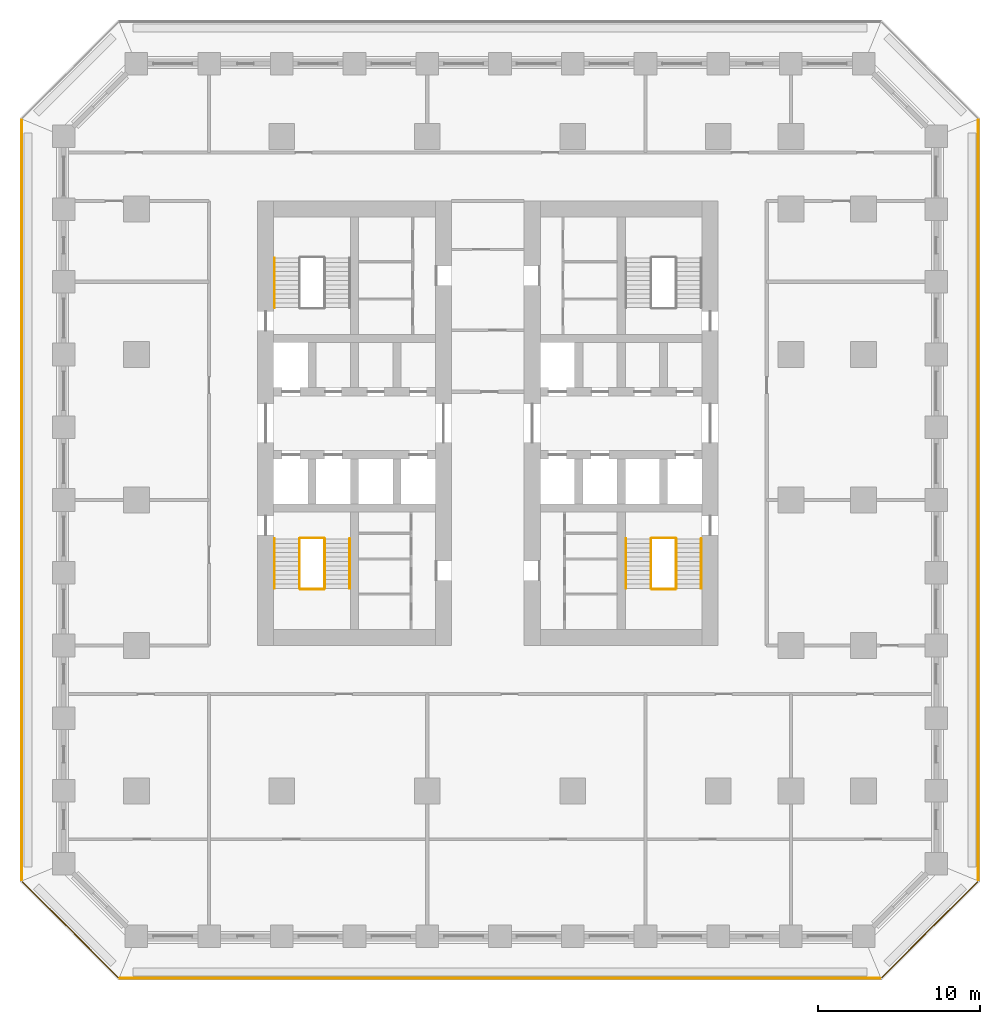
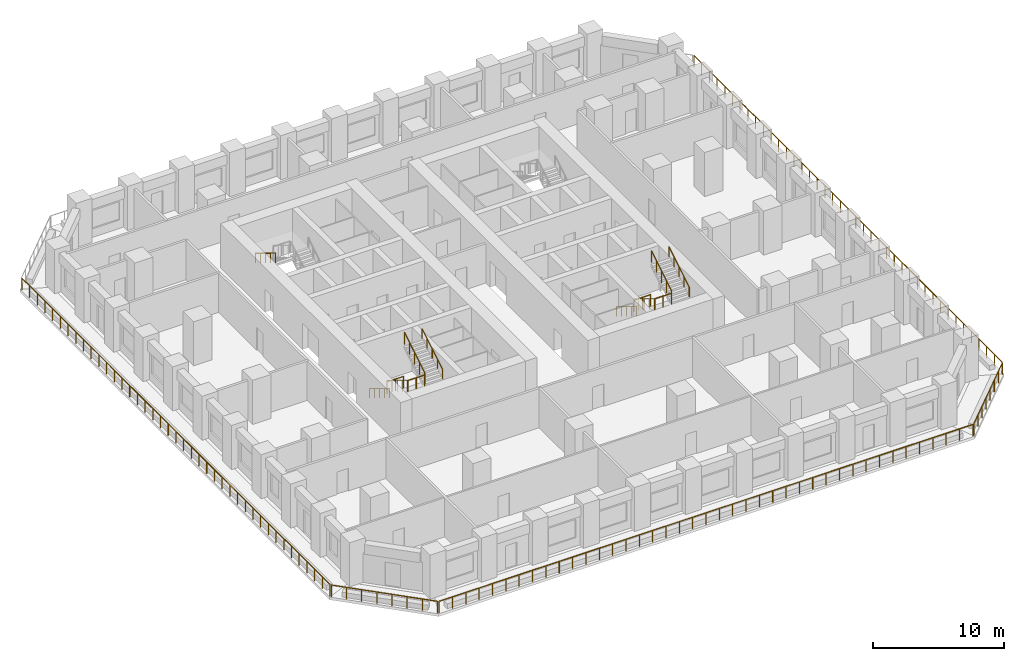
# One storey, part 9 of 11: 18 railings.
"""IFC4 building model written with IfcOpenShell, lengths in metres."""

from ifc_helpers import new_model, si_unit, direction, frame, origin, origin_2d, place, context, subcontext, project, spatial, circle, extrude, material, type_object, element, save


model = new_model("IFC4")

# Units and contexts
model_context = context("Model", 3, precision=1e-05, world=origin(), true_north=direction((0.0, 1.0)))
body_context = subcontext(model_context, "Body", "Model", "MODEL_VIEW")
ifc_project = project(units=[si_unit("LENGTHUNIT", "METRE"), si_unit("AREAUNIT", "SQUARE_METRE"), si_unit("VOLUMEUNIT", "CUBIC_METRE"), si_unit("PLANEANGLEUNIT", "RADIAN"), si_unit("MASSUNIT", "GRAM", prefix="KILO")], contexts=[model_context])

# Site, building, storey
site_placement = place(None, origin())
site = spatial("IfcSite", under=ifc_project, at=site_placement, CompositionType="ELEMENT")
building_placement = place(site_placement, origin())
building = spatial("IfcBuilding", under=site, at=building_placement, Name="Corbel Stack Research Tower", CompositionType="ELEMENT")
storey_placement = place(building_placement, frame((0.0, 0.0, 54.199951171875)))
storey = spatial("IfcBuildingStorey", under=building, at=storey_placement, Name="L12", CompositionType="ELEMENT", Elevation=54.199951171875)

# Railings
ifc_material_1 = material(Name="Steel S355", Category="steel")
railing_type_1 = type_object("IfcRailingType", Name="Stair guard 1100", PredefinedType="GUARDRAIL", material=ifc_material_1)
railing_1_placement = place(storey_placement, frame((-7.89990234375, -2.39990234375, 0.1708984375)))
element("IfcRailing", 1, at=railing_1_placement, inside=storey, type_object=railing_type_1, Name="L12 ST-W1 stair guard 1", PredefinedType="GUARDRAIL", context=body_context, shape_type="SweptSolid", body=[
    extrude(circle(Radius=0.02392578125, at=origin_2d()), frame((0.0, 0.0, 1.076171875), z_axis=(0.0, -0.853666305674, 0.52082035152), x_axis=(1.0, 0.0, 0.0)), (0.0, 0.0, 1.0), 3.608154296875),
    extrude(circle(Radius=0.02099609375, at=origin_2d()), origin(), (0.0, 0.0, 1.0), 1.052001953125),
    extrude(circle(Radius=0.02099609375, at=origin_2d()), frame((0.0, -0.77001953125, 0.4697265625)), (0.0, 0.0, 1.0), 1.052001953125),
    extrude(circle(Radius=0.02099609375, at=origin_2d()), frame((0.0, -1.5400390625, 0.939453125)), (0.0, 0.0, 1.0), 1.052001953125),
    extrude(circle(Radius=0.02099609375, at=origin_2d()), frame((0.0, -2.31005859375, 1.409423828125)), (0.0, 0.0, 1.0), 1.052001953125),
    extrude(circle(Radius=0.02099609375, at=origin_2d()), frame((0.0, -3.080078125, 1.879150390625)), (0.0, 0.0, 1.0), 1.052001953125),
])
railing_2_placement = place(storey_placement, frame((-7.85009765625, -5.530029296875, 2.050048828125)))
element("IfcRailing", 2, at=railing_2_placement, inside=storey, type_object=railing_type_1, Name="L12 ST-W1 stair guard 2", PredefinedType="GUARDRAIL", context=body_context, shape_type="SweptSolid", body=[
    extrude(circle(Radius=0.02392578125, at=origin_2d()), frame((0.0, 0.0, 1.076171875), z_axis=(1.0, 0.0, 0.0), x_axis=(0.0, 1.0, 0.0)), (0.0, 0.0, 1.0), 1.4501953125),
    extrude(circle(Radius=0.02099609375, at=origin_2d()), origin(), (0.0, 0.0, 1.0), 1.052001953125),
    extrude(circle(Radius=0.02099609375, at=origin_2d()), frame((0.72509765625, 0.0, 0.0)), (0.0, 0.0, 1.0), 1.052001953125),
    extrude(circle(Radius=0.02099609375, at=origin_2d()), frame((1.4501953125, 0.0, 0.0)), (0.0, 0.0, 1.0), 1.052001953125),
])
railing_3_placement = place(storey_placement, frame((-6.35009765625, -5.47998046875, 2.220947265625)))
element("IfcRailing", 3, at=railing_3_placement, inside=storey, type_object=railing_type_1, Name="L12 ST-W1 stair guard 3", PredefinedType="GUARDRAIL", context=body_context, shape_type="SweptSolid", body=[
    extrude(circle(Radius=0.02392578125, at=origin_2d()), frame((0.0, 0.0, 1.076171875), z_axis=(0.0, 0.853666305674, 0.52082035152), x_axis=(-1.0, 0.0, 0.0)), (0.0, 0.0, 1.0), 3.608154296875),
    extrude(circle(Radius=0.02099609375, at=origin_2d()), origin(), (0.0, 0.0, 1.0), 1.052001953125),
    extrude(circle(Radius=0.02099609375, at=origin_2d()), frame((0.0, 0.77001953125, 0.4697265625)), (0.0, 0.0, 1.0), 1.052001953125),
    extrude(circle(Radius=0.02099609375, at=origin_2d()), frame((0.0, 1.5400390625, 0.939453125)), (0.0, 0.0, 1.0), 1.052001953125),
    extrude(circle(Radius=0.02099609375, at=origin_2d()), frame((0.0, 2.31005859375, 1.409423828125)), (0.0, 0.0, 1.0), 1.052001953125),
    extrude(circle(Radius=0.02099609375, at=origin_2d()), frame((0.0, 3.080078125, 1.879150390625)), (0.0, 0.0, 1.0), 1.052001953125),
])
railing_4_placement = place(storey_placement, frame((-7.85009765625, -2.35009765625, 0.0)))
element("IfcRailing", 4, at=railing_4_placement, inside=storey, type_object=railing_type_1, Name="L12 ST-W1 stair guard 4", PredefinedType="GUARDRAIL", context=body_context, shape_type="SweptSolid", body=[
    extrude(circle(Radius=0.02392578125, at=origin_2d()), frame((0.0, 0.0, 1.076171875), z_axis=(1.0, 0.0, 0.0), x_axis=(0.0, 1.0, 0.0)), (0.0, 0.0, 1.0), 1.4501953125),
    extrude(circle(Radius=0.02099609375, at=origin_2d()), origin(), (0.0, 0.0, 1.0), 1.052001953125),
    extrude(circle(Radius=0.02099609375, at=origin_2d()), frame((0.72509765625, 0.0, 0.0)), (0.0, 0.0, 1.0), 1.052001953125),
    extrude(circle(Radius=0.02099609375, at=origin_2d()), frame((1.4501953125, 0.0, 0.0)), (0.0, 0.0, 1.0), 1.052001953125),
])
railing_5_placement = place(storey_placement, frame((13.85009765625, -2.39990234375, 0.1708984375)))
element("IfcRailing", 5, at=railing_5_placement, inside=storey, type_object=railing_type_1, Name="L12 ST-E1 stair guard 1", PredefinedType="GUARDRAIL", context=body_context, shape_type="SweptSolid", body=[
    extrude(circle(Radius=0.02392578125, at=origin_2d()), frame((0.0, 0.0, 1.076171875), z_axis=(0.0, -0.853666305674, 0.52082035152), x_axis=(1.0, 0.0, 0.0)), (0.0, 0.0, 1.0), 3.608154296875),
    extrude(circle(Radius=0.02099609375, at=origin_2d()), origin(), (0.0, 0.0, 1.0), 1.052001953125),
    extrude(circle(Radius=0.02099609375, at=origin_2d()), frame((0.0, -0.77001953125, 0.4697265625)), (0.0, 0.0, 1.0), 1.052001953125),
    extrude(circle(Radius=0.02099609375, at=origin_2d()), frame((0.0, -1.5400390625, 0.939453125)), (0.0, 0.0, 1.0), 1.052001953125),
    extrude(circle(Radius=0.02099609375, at=origin_2d()), frame((0.0, -2.31005859375, 1.409423828125)), (0.0, 0.0, 1.0), 1.052001953125),
    extrude(circle(Radius=0.02099609375, at=origin_2d()), frame((0.0, -3.080078125, 1.879150390625)), (0.0, 0.0, 1.0), 1.052001953125),
])
railing_6_placement = place(storey_placement, frame((13.89990234375, -5.530029296875, 2.050048828125)))
element("IfcRailing", 6, at=railing_6_placement, inside=storey, type_object=railing_type_1, Name="L12 ST-E1 stair guard 2", PredefinedType="GUARDRAIL", context=body_context, shape_type="SweptSolid", body=[
    extrude(circle(Radius=0.02392578125, at=origin_2d()), frame((0.0, 0.0, 1.076171875), z_axis=(1.0, 0.0, 0.0), x_axis=(0.0, 1.0, 0.0)), (0.0, 0.0, 1.0), 1.4501953125),
    extrude(circle(Radius=0.02099609375, at=origin_2d()), origin(), (0.0, 0.0, 1.0), 1.052001953125),
    extrude(circle(Radius=0.02099609375, at=origin_2d()), frame((0.72509765625, 0.0, 0.0)), (0.0, 0.0, 1.0), 1.052001953125),
    extrude(circle(Radius=0.02099609375, at=origin_2d()), frame((1.4501953125, 0.0, 0.0)), (0.0, 0.0, 1.0), 1.052001953125),
])
railing_7_placement = place(storey_placement, frame((15.39990234375, -5.47998046875, 2.220947265625)))
element("IfcRailing", 7, at=railing_7_placement, inside=storey, type_object=railing_type_1, Name="L12 ST-E1 stair guard 3", PredefinedType="GUARDRAIL", context=body_context, shape_type="SweptSolid", body=[
    extrude(circle(Radius=0.02392578125, at=origin_2d()), frame((0.0, 0.0, 1.076171875), z_axis=(0.0, 0.853666305674, 0.52082035152), x_axis=(-1.0, 0.0, 0.0)), (0.0, 0.0, 1.0), 3.608154296875),
    extrude(circle(Radius=0.02099609375, at=origin_2d()), origin(), (0.0, 0.0, 1.0), 1.052001953125),
    extrude(circle(Radius=0.02099609375, at=origin_2d()), frame((0.0, 0.77001953125, 0.4697265625)), (0.0, 0.0, 1.0), 1.052001953125),
    extrude(circle(Radius=0.02099609375, at=origin_2d()), frame((0.0, 1.5400390625, 0.939453125)), (0.0, 0.0, 1.0), 1.052001953125),
    extrude(circle(Radius=0.02099609375, at=origin_2d()), frame((0.0, 2.31005859375, 1.409423828125)), (0.0, 0.0, 1.0), 1.052001953125),
    extrude(circle(Radius=0.02099609375, at=origin_2d()), frame((0.0, 3.080078125, 1.879150390625)), (0.0, 0.0, 1.0), 1.052001953125),
])
railing_8_placement = place(storey_placement, frame((13.89990234375, -2.35009765625, 0.0)))
element("IfcRailing", 8, at=railing_8_placement, inside=storey, type_object=railing_type_1, Name="L12 ST-E1 stair guard 4", PredefinedType="GUARDRAIL", context=body_context, shape_type="SweptSolid", body=[
    extrude(circle(Radius=0.02392578125, at=origin_2d()), frame((0.0, 0.0, 1.076171875), z_axis=(1.0, 0.0, 0.0), x_axis=(0.0, 1.0, 0.0)), (0.0, 0.0, 1.0), 1.4501953125),
    extrude(circle(Radius=0.02099609375, at=origin_2d()), origin(), (0.0, 0.0, 1.0), 1.052001953125),
    extrude(circle(Radius=0.02099609375, at=origin_2d()), frame((0.72509765625, 0.0, 0.0)), (0.0, 0.0, 1.0), 1.052001953125),
    extrude(circle(Radius=0.02099609375, at=origin_2d()), frame((1.4501953125, 0.0, 0.0)), (0.0, 0.0, 1.0), 1.052001953125),
])
ifc_material_2 = material(Name="Steel S355", Category="steel")
railing_type_2 = type_object("IfcRailingType", Name="Stair handrail 900", PredefinedType="HANDRAIL", material=ifc_material_2)
railing_9_placement = place(storey_placement, frame((-9.449951171875, -2.39990234375, 0.1708984375)))
element("IfcRailing", 9, at=railing_9_placement, inside=storey, type_object=railing_type_2, Name="L12 ST-W1 stair handrail 1", PredefinedType="HANDRAIL", context=body_context, shape_type="SweptSolid", body=[
    extrude(circle(Radius=0.02392578125, at=origin_2d()), frame((0.0, 0.0, 0.8759765625), z_axis=(0.0, -0.853666305674, 0.52082035152), x_axis=(1.0, 0.0, 0.0)), (0.0, 0.0, 1.0), 3.608154296875),
    extrude(circle(Radius=0.02099609375, at=origin_2d()), origin(), (0.0, 0.0, 1.0), 0.851806640625),
    extrude(circle(Radius=0.02099609375, at=origin_2d()), frame((0.0, -0.77001953125, 0.4697265625)), (0.0, 0.0, 1.0), 0.851806640625),
    extrude(circle(Radius=0.02099609375, at=origin_2d()), frame((0.0, -1.5400390625, 0.939453125)), (0.0, 0.0, 1.0), 0.851806640625),
    extrude(circle(Radius=0.02099609375, at=origin_2d()), frame((0.0, -2.31005859375, 1.409423828125)), (0.0, 0.0, 1.0), 0.851806640625),
    extrude(circle(Radius=0.02099609375, at=origin_2d()), frame((0.0, -3.080078125, 1.879150390625)), (0.0, 0.0, 1.0), 0.851806640625),
])
railing_10_placement = place(storey_placement, frame((-4.800048828125, -5.47998046875, 2.220947265625)))
element("IfcRailing", 10, at=railing_10_placement, inside=storey, type_object=railing_type_2, Name="L12 ST-W1 stair handrail 2", PredefinedType="HANDRAIL", context=body_context, shape_type="SweptSolid", body=[
    extrude(circle(Radius=0.02392578125, at=origin_2d()), frame((0.0, 0.0, 0.8759765625), z_axis=(0.0, 0.853666305674, 0.52082035152), x_axis=(-1.0, 0.0, 0.0)), (0.0, 0.0, 1.0), 3.608154296875),
    extrude(circle(Radius=0.02099609375, at=origin_2d()), origin(), (0.0, 0.0, 1.0), 0.851806640625),
    extrude(circle(Radius=0.02099609375, at=origin_2d()), frame((0.0, 0.77001953125, 0.4697265625)), (0.0, 0.0, 1.0), 0.851806640625),
    extrude(circle(Radius=0.02099609375, at=origin_2d()), frame((0.0, 1.5400390625, 0.939453125)), (0.0, 0.0, 1.0), 0.851806640625),
    extrude(circle(Radius=0.02099609375, at=origin_2d()), frame((0.0, 2.31005859375, 1.409423828125)), (0.0, 0.0, 1.0), 0.851806640625),
    extrude(circle(Radius=0.02099609375, at=origin_2d()), frame((0.0, 3.080078125, 1.879150390625)), (0.0, 0.0, 1.0), 0.851806640625),
])
for number, where, name in (
    (11, (-9.449951171875, 14.97998046875, 2.220947265625), "L12 ST-W2 stair handrail 2"),
    (12, (12.300048828125, -2.39990234375, 0.1708984375), "L12 ST-E1 stair handrail 1"),
):
    element("IfcRailing", number, at=place(storey_placement, frame(where)), inside=storey, type_object=railing_type_2, Name=name, PredefinedType="HANDRAIL", context=body_context, shape_type="SweptSolid", body=[
        extrude(circle(Radius=0.02392578125, at=origin_2d()), frame((0.0, 0.0, 0.8759765625), z_axis=(0.0, -0.853666305674, 0.52082035152), x_axis=(1.0, 0.0, 0.0)), (0.0, 0.0, 1.0), 3.608154296875),
        extrude(circle(Radius=0.02099609375, at=origin_2d()), origin(), (0.0, 0.0, 1.0), 0.851806640625),
        extrude(circle(Radius=0.02099609375, at=origin_2d()), frame((0.0, -0.77001953125, 0.4697265625)), (0.0, 0.0, 1.0), 0.851806640625),
        extrude(circle(Radius=0.02099609375, at=origin_2d()), frame((0.0, -1.5400390625, 0.939453125)), (0.0, 0.0, 1.0), 0.851806640625),
        extrude(circle(Radius=0.02099609375, at=origin_2d()), frame((0.0, -2.31005859375, 1.409423828125)), (0.0, 0.0, 1.0), 0.851806640625),
        extrude(circle(Radius=0.02099609375, at=origin_2d()), frame((0.0, -3.080078125, 1.879150390625)), (0.0, 0.0, 1.0), 0.851806640625),
    ])
railing_11_placement = place(storey_placement, frame((16.949951171875, -5.47998046875, 2.220947265625)))
element("IfcRailing", 13, at=railing_11_placement, inside=storey, type_object=railing_type_2, Name="L12 ST-E1 stair handrail 2", PredefinedType="HANDRAIL", context=body_context, shape_type="SweptSolid", body=[
    extrude(circle(Radius=0.02392578125, at=origin_2d()), frame((0.0, 0.0, 0.8759765625), z_axis=(0.0, 0.853666305674, 0.52082035152), x_axis=(-1.0, 0.0, 0.0)), (0.0, 0.0, 1.0), 3.608154296875),
    extrude(circle(Radius=0.02099609375, at=origin_2d()), origin(), (0.0, 0.0, 1.0), 0.851806640625),
    extrude(circle(Radius=0.02099609375, at=origin_2d()), frame((0.0, 0.77001953125, 0.4697265625)), (0.0, 0.0, 1.0), 0.851806640625),
    extrude(circle(Radius=0.02099609375, at=origin_2d()), frame((0.0, 1.5400390625, 0.939453125)), (0.0, 0.0, 1.0), 0.851806640625),
    extrude(circle(Radius=0.02099609375, at=origin_2d()), frame((0.0, 2.31005859375, 1.409423828125)), (0.0, 0.0, 1.0), 0.851806640625),
    extrude(circle(Radius=0.02099609375, at=origin_2d()), frame((0.0, 3.080078125, 1.879150390625)), (0.0, 0.0, 1.0), 0.851806640625),
])
ifc_material_3 = material(Name="Powder-coated steel guard", Category="steel")
railing_type_3 = type_object("IfcRailingType", Name="Steel and glass guard 1100", PredefinedType="GUARDRAIL", material=ifc_material_3)
railing_12_placement = place(storey_placement, frame((-19.00537109375, -29.60009765625, 0.0)))
element("IfcRailing", 14, at=railing_12_placement, inside=storey, type_object=railing_type_3, Name="Loggia guard L12 S", PredefinedType="GUARDRAIL", context=body_context, shape_type="SweptSolid", body=[
    extrude(circle(Radius=0.02392578125, at=origin_2d()), frame((0.0, 0.0, 1.076171875), z_axis=(1.0, 0.0, 0.0), x_axis=(0.0, 1.0, 0.0)), (0.0, 0.0, 1.0), 47.0107421875),
    extrude(circle(Radius=0.02099609375, at=origin_2d()), origin(), (0.0, 0.0, 1.0), 1.052001953125),
    extrude(circle(Radius=0.02099609375, at=origin_2d()), frame((1.17529296875, 0.0, 0.0)), (0.0, 0.0, 1.0), 1.052001953125),
    extrude(circle(Radius=0.02099609375, at=origin_2d()), frame((2.3505859375, 0.0, 0.0)), (0.0, 0.0, 1.0), 1.052001953125),
    extrude(circle(Radius=0.02099609375, at=origin_2d()), frame((3.52587890625, 0.0, 0.0)), (0.0, 0.0, 1.0), 1.052001953125),
    extrude(circle(Radius=0.02099609375, at=origin_2d()), frame((4.701171875, 0.0, 0.0)), (0.0, 0.0, 1.0), 1.052001953125),
    extrude(circle(Radius=0.02099609375, at=origin_2d()), frame((5.87646484375, 0.0, 0.0)), (0.0, 0.0, 1.0), 1.052001953125),
    extrude(circle(Radius=0.02099609375, at=origin_2d()), frame((7.051513671875, 0.0, 0.0)), (0.0, 0.0, 1.0), 1.052001953125),
    extrude(circle(Radius=0.02099609375, at=origin_2d()), frame((8.226806640625, 0.0, 0.0)), (0.0, 0.0, 1.0), 1.052001953125),
    extrude(circle(Radius=0.02099609375, at=origin_2d()), frame((9.402099609375, 0.0, 0.0)), (0.0, 0.0, 1.0), 1.052001953125),
    extrude(circle(Radius=0.02099609375, at=origin_2d()), frame((10.577392578125, 0.0, 0.0)), (0.0, 0.0, 1.0), 1.052001953125),
    extrude(circle(Radius=0.02099609375, at=origin_2d()), frame((11.752685546875, 0.0, 0.0)), (0.0, 0.0, 1.0), 1.052001953125),
    extrude(circle(Radius=0.02099609375, at=origin_2d()), frame((12.927978515625, 0.0, 0.0)), (0.0, 0.0, 1.0), 1.052001953125),
    extrude(circle(Radius=0.02099609375, at=origin_2d()), frame((14.103271484375, 0.0, 0.0)), (0.0, 0.0, 1.0), 1.052001953125),
    extrude(circle(Radius=0.02099609375, at=origin_2d()), frame((15.278564453125, 0.0, 0.0)), (0.0, 0.0, 1.0), 1.052001953125),
    extrude(circle(Radius=0.02099609375, at=origin_2d()), frame((16.453857421875, 0.0, 0.0)), (0.0, 0.0, 1.0), 1.052001953125),
    extrude(circle(Radius=0.02099609375, at=origin_2d()), frame((17.62890625, 0.0, 0.0)), (0.0, 0.0, 1.0), 1.052001953125),
    extrude(circle(Radius=0.02099609375, at=origin_2d()), frame((18.80419921875, 0.0, 0.0)), (0.0, 0.0, 1.0), 1.052001953125),
    extrude(circle(Radius=0.02099609375, at=origin_2d()), frame((19.9794921875, 0.0, 0.0)), (0.0, 0.0, 1.0), 1.052001953125),
    extrude(circle(Radius=0.02099609375, at=origin_2d()), frame((21.15478515625, 0.0, 0.0)), (0.0, 0.0, 1.0), 1.052001953125),
    extrude(circle(Radius=0.02099609375, at=origin_2d()), frame((22.330078125, 0.0, 0.0)), (0.0, 0.0, 1.0), 1.052001953125),
    extrude(circle(Radius=0.02099609375, at=origin_2d()), frame((23.50537109375, 0.0, 0.0)), (0.0, 0.0, 1.0), 1.052001953125),
    extrude(circle(Radius=0.02099609375, at=origin_2d()), frame((24.6806640625, 0.0, 0.0)), (0.0, 0.0, 1.0), 1.052001953125),
    extrude(circle(Radius=0.02099609375, at=origin_2d()), frame((25.85595703125, 0.0, 0.0)), (0.0, 0.0, 1.0), 1.052001953125),
    extrude(circle(Radius=0.02099609375, at=origin_2d()), frame((27.03125, 0.0, 0.0)), (0.0, 0.0, 1.0), 1.052001953125),
    extrude(circle(Radius=0.02099609375, at=origin_2d()), frame((28.20654296875, 0.0, 0.0)), (0.0, 0.0, 1.0), 1.052001953125),
    extrude(circle(Radius=0.02099609375, at=origin_2d()), frame((29.3818359375, 0.0, 0.0)), (0.0, 0.0, 1.0), 1.052001953125),
    extrude(circle(Radius=0.02099609375, at=origin_2d()), frame((30.556884765625, 0.0, 0.0)), (0.0, 0.0, 1.0), 1.052001953125),
    extrude(circle(Radius=0.02099609375, at=origin_2d()), frame((31.732177734375, 0.0, 0.0)), (0.0, 0.0, 1.0), 1.052001953125),
    extrude(circle(Radius=0.02099609375, at=origin_2d()), frame((32.907470703125, 0.0, 0.0)), (0.0, 0.0, 1.0), 1.052001953125),
    extrude(circle(Radius=0.02099609375, at=origin_2d()), frame((34.082763671875, 0.0, 0.0)), (0.0, 0.0, 1.0), 1.052001953125),
    extrude(circle(Radius=0.02099609375, at=origin_2d()), frame((35.258056640625, 0.0, 0.0)), (0.0, 0.0, 1.0), 1.052001953125),
    extrude(circle(Radius=0.02099609375, at=origin_2d()), frame((36.433349609375, 0.0, 0.0)), (0.0, 0.0, 1.0), 1.052001953125),
    extrude(circle(Radius=0.02099609375, at=origin_2d()), frame((37.608642578125, 0.0, 0.0)), (0.0, 0.0, 1.0), 1.052001953125),
    extrude(circle(Radius=0.02099609375, at=origin_2d()), frame((38.783935546875, 0.0, 0.0)), (0.0, 0.0, 1.0), 1.052001953125),
    extrude(circle(Radius=0.02099609375, at=origin_2d()), frame((39.959228515625, 0.0, 0.0)), (0.0, 0.0, 1.0), 1.052001953125),
    extrude(circle(Radius=0.02099609375, at=origin_2d()), frame((41.13427734375, 0.0, 0.0)), (0.0, 0.0, 1.0), 1.052001953125),
    extrude(circle(Radius=0.02099609375, at=origin_2d()), frame((42.3095703125, 0.0, 0.0)), (0.0, 0.0, 1.0), 1.052001953125),
    extrude(circle(Radius=0.02099609375, at=origin_2d()), frame((43.48486328125, 0.0, 0.0)), (0.0, 0.0, 1.0), 1.052001953125),
    extrude(circle(Radius=0.02099609375, at=origin_2d()), frame((44.66015625, 0.0, 0.0)), (0.0, 0.0, 1.0), 1.052001953125),
    extrude(circle(Radius=0.02099609375, at=origin_2d()), frame((45.83544921875, 0.0, 0.0)), (0.0, 0.0, 1.0), 1.052001953125),
    extrude(circle(Radius=0.02099609375, at=origin_2d()), frame((47.0107421875, 0.0, 0.0)), (0.0, 0.0, 1.0), 1.052001953125),
])
railing_13_placement = place(storey_placement, frame((28.127685546875, -29.54931640625, 0.0)))
element("IfcRailing", 15, at=railing_13_placement, inside=storey, type_object=railing_type_3, Name="Loggia guard L12 SE", PredefinedType="GUARDRAIL", context=body_context, shape_type="SweptSolid", body=[
    extrude(circle(Radius=0.02392578125, at=origin_2d()), frame((0.0, 0.0, 1.076171875), z_axis=(0.707106781187, 0.707106781187, 0.0), x_axis=(-0.707106781187, 0.707106781187, 0.0)), (0.0, 0.0, 1.0), 8.37451171875),
    extrude(circle(Radius=0.02099609375, at=origin_2d()), origin(), (0.0, 0.0, 1.0), 1.052001953125),
    extrude(circle(Radius=0.02099609375, at=origin_2d()), frame((0.845947265625, 0.845947265625, 0.0)), (0.0, 0.0, 1.0), 1.052001953125),
    extrude(circle(Radius=0.02099609375, at=origin_2d()), frame((1.69189453125, 1.69189453125, 0.0)), (0.0, 0.0, 1.0), 1.052001953125),
    extrude(circle(Radius=0.02099609375, at=origin_2d()), frame((2.537841796875, 2.537841796875, 0.0)), (0.0, 0.0, 1.0), 1.052001953125),
    extrude(circle(Radius=0.02099609375, at=origin_2d()), frame((3.3837890625, 3.3837890625, 0.0)), (0.0, 0.0, 1.0), 1.052001953125),
    extrude(circle(Radius=0.02099609375, at=origin_2d()), frame((4.229736328125, 4.229736328125, 0.0)), (0.0, 0.0, 1.0), 1.052001953125),
    extrude(circle(Radius=0.02099609375, at=origin_2d()), frame((5.07568359375, 5.07568359375, 0.0)), (0.0, 0.0, 1.0), 1.052001953125),
    extrude(circle(Radius=0.02099609375, at=origin_2d()), frame((5.921630859375, 5.921630859375, 0.0)), (0.0, 0.0, 1.0), 1.052001953125),
])
railing_14_placement = place(storey_placement, frame((34.10009765625, -23.50537109375, 0.0)))
element("IfcRailing", 16, at=railing_14_placement, inside=storey, type_object=railing_type_3, Name="Loggia guard L12 E", PredefinedType="GUARDRAIL", context=body_context, shape_type="SweptSolid", body=[
    extrude(circle(Radius=0.02392578125, at=origin_2d()), frame((0.0, 0.0, 1.076171875), z_axis=(0.0, 1.0, 0.0), x_axis=(-1.0, 0.0, 0.0)), (0.0, 0.0, 1.0), 47.0107421875),
    extrude(circle(Radius=0.02099609375, at=origin_2d()), origin(), (0.0, 0.0, 1.0), 1.052001953125),
    extrude(circle(Radius=0.02099609375, at=origin_2d()), frame((0.0, 1.17529296875, 0.0)), (0.0, 0.0, 1.0), 1.052001953125),
    extrude(circle(Radius=0.02099609375, at=origin_2d()), frame((0.0, 2.3505859375, 0.0)), (0.0, 0.0, 1.0), 1.052001953125),
    extrude(circle(Radius=0.02099609375, at=origin_2d()), frame((0.0, 3.52587890625, 0.0)), (0.0, 0.0, 1.0), 1.052001953125),
    extrude(circle(Radius=0.02099609375, at=origin_2d()), frame((0.0, 4.701171875, 0.0)), (0.0, 0.0, 1.0), 1.052001953125),
    extrude(circle(Radius=0.02099609375, at=origin_2d()), frame((0.0, 5.87646484375, 0.0)), (0.0, 0.0, 1.0), 1.052001953125),
    extrude(circle(Radius=0.02099609375, at=origin_2d()), frame((0.0, 7.051513671875, 0.0)), (0.0, 0.0, 1.0), 1.052001953125),
    extrude(circle(Radius=0.02099609375, at=origin_2d()), frame((0.0, 8.226806640625, 0.0)), (0.0, 0.0, 1.0), 1.052001953125),
    extrude(circle(Radius=0.02099609375, at=origin_2d()), frame((0.0, 9.402099609375, 0.0)), (0.0, 0.0, 1.0), 1.052001953125),
    extrude(circle(Radius=0.02099609375, at=origin_2d()), frame((0.0, 10.577392578125, 0.0)), (0.0, 0.0, 1.0), 1.052001953125),
    extrude(circle(Radius=0.02099609375, at=origin_2d()), frame((0.0, 11.752685546875, 0.0)), (0.0, 0.0, 1.0), 1.052001953125),
    extrude(circle(Radius=0.02099609375, at=origin_2d()), frame((0.0, 12.927978515625, 0.0)), (0.0, 0.0, 1.0), 1.052001953125),
    extrude(circle(Radius=0.02099609375, at=origin_2d()), frame((0.0, 14.103271484375, 0.0)), (0.0, 0.0, 1.0), 1.052001953125),
    extrude(circle(Radius=0.02099609375, at=origin_2d()), frame((0.0, 15.278564453125, 0.0)), (0.0, 0.0, 1.0), 1.052001953125),
    extrude(circle(Radius=0.02099609375, at=origin_2d()), frame((0.0, 16.453857421875, 0.0)), (0.0, 0.0, 1.0), 1.052001953125),
    extrude(circle(Radius=0.02099609375, at=origin_2d()), frame((0.0, 17.62890625, 0.0)), (0.0, 0.0, 1.0), 1.052001953125),
    extrude(circle(Radius=0.02099609375, at=origin_2d()), frame((0.0, 18.80419921875, 0.0)), (0.0, 0.0, 1.0), 1.052001953125),
    extrude(circle(Radius=0.02099609375, at=origin_2d()), frame((0.0, 19.9794921875, 0.0)), (0.0, 0.0, 1.0), 1.052001953125),
    extrude(circle(Radius=0.02099609375, at=origin_2d()), frame((0.0, 21.15478515625, 0.0)), (0.0, 0.0, 1.0), 1.052001953125),
    extrude(circle(Radius=0.02099609375, at=origin_2d()), frame((0.0, 22.330078125, 0.0)), (0.0, 0.0, 1.0), 1.052001953125),
    extrude(circle(Radius=0.02099609375, at=origin_2d()), frame((0.0, 23.50537109375, 0.0)), (0.0, 0.0, 1.0), 1.052001953125),
    extrude(circle(Radius=0.02099609375, at=origin_2d()), frame((0.0, 24.6806640625, 0.0)), (0.0, 0.0, 1.0), 1.052001953125),
    extrude(circle(Radius=0.02099609375, at=origin_2d()), frame((0.0, 25.85595703125, 0.0)), (0.0, 0.0, 1.0), 1.052001953125),
    extrude(circle(Radius=0.02099609375, at=origin_2d()), frame((0.0, 27.03125, 0.0)), (0.0, 0.0, 1.0), 1.052001953125),
    extrude(circle(Radius=0.02099609375, at=origin_2d()), frame((0.0, 28.20654296875, 0.0)), (0.0, 0.0, 1.0), 1.052001953125),
    extrude(circle(Radius=0.02099609375, at=origin_2d()), frame((0.0, 29.3818359375, 0.0)), (0.0, 0.0, 1.0), 1.052001953125),
    extrude(circle(Radius=0.02099609375, at=origin_2d()), frame((0.0, 30.556884765625, 0.0)), (0.0, 0.0, 1.0), 1.052001953125),
    extrude(circle(Radius=0.02099609375, at=origin_2d()), frame((0.0, 31.732177734375, 0.0)), (0.0, 0.0, 1.0), 1.052001953125),
    extrude(circle(Radius=0.02099609375, at=origin_2d()), frame((0.0, 32.907470703125, 0.0)), (0.0, 0.0, 1.0), 1.052001953125),
    extrude(circle(Radius=0.02099609375, at=origin_2d()), frame((0.0, 34.082763671875, 0.0)), (0.0, 0.0, 1.0), 1.052001953125),
    extrude(circle(Radius=0.02099609375, at=origin_2d()), frame((0.0, 35.258056640625, 0.0)), (0.0, 0.0, 1.0), 1.052001953125),
    extrude(circle(Radius=0.02099609375, at=origin_2d()), frame((0.0, 36.433349609375, 0.0)), (0.0, 0.0, 1.0), 1.052001953125),
    extrude(circle(Radius=0.02099609375, at=origin_2d()), frame((0.0, 37.608642578125, 0.0)), (0.0, 0.0, 1.0), 1.052001953125),
    extrude(circle(Radius=0.02099609375, at=origin_2d()), frame((0.0, 38.783935546875, 0.0)), (0.0, 0.0, 1.0), 1.052001953125),
    extrude(circle(Radius=0.02099609375, at=origin_2d()), frame((0.0, 39.959228515625, 0.0)), (0.0, 0.0, 1.0), 1.052001953125),
    extrude(circle(Radius=0.02099609375, at=origin_2d()), frame((0.0, 41.13427734375, 0.0)), (0.0, 0.0, 1.0), 1.052001953125),
    extrude(circle(Radius=0.02099609375, at=origin_2d()), frame((0.0, 42.3095703125, 0.0)), (0.0, 0.0, 1.0), 1.052001953125),
    extrude(circle(Radius=0.02099609375, at=origin_2d()), frame((0.0, 43.48486328125, 0.0)), (0.0, 0.0, 1.0), 1.052001953125),
    extrude(circle(Radius=0.02099609375, at=origin_2d()), frame((0.0, 44.66015625, 0.0)), (0.0, 0.0, 1.0), 1.052001953125),
    extrude(circle(Radius=0.02099609375, at=origin_2d()), frame((0.0, 45.83544921875, 0.0)), (0.0, 0.0, 1.0), 1.052001953125),
    extrude(circle(Radius=0.02099609375, at=origin_2d()), frame((0.0, 47.0107421875, 0.0)), (0.0, 0.0, 1.0), 1.052001953125),
])
railing_15_placement = place(storey_placement, frame((-25.10009765625, 23.50537109375, 0.0)))
element("IfcRailing", 17, at=railing_15_placement, inside=storey, type_object=railing_type_3, Name="Loggia guard L12 W", PredefinedType="GUARDRAIL", context=body_context, shape_type="SweptSolid", body=[
    extrude(circle(Radius=0.02392578125, at=origin_2d()), frame((0.0, 0.0, 1.076171875), z_axis=(0.0, -1.0, 0.0), x_axis=(1.0, 0.0, 0.0)), (0.0, 0.0, 1.0), 47.0107421875),
    extrude(circle(Radius=0.02099609375, at=origin_2d()), origin(), (0.0, 0.0, 1.0), 1.052001953125),
    extrude(circle(Radius=0.02099609375, at=origin_2d()), frame((0.0, -1.17529296875, 0.0)), (0.0, 0.0, 1.0), 1.052001953125),
    extrude(circle(Radius=0.02099609375, at=origin_2d()), frame((0.0, -2.3505859375, 0.0)), (0.0, 0.0, 1.0), 1.052001953125),
    extrude(circle(Radius=0.02099609375, at=origin_2d()), frame((0.0, -3.52587890625, 0.0)), (0.0, 0.0, 1.0), 1.052001953125),
    extrude(circle(Radius=0.02099609375, at=origin_2d()), frame((0.0, -4.701171875, 0.0)), (0.0, 0.0, 1.0), 1.052001953125),
    extrude(circle(Radius=0.02099609375, at=origin_2d()), frame((0.0, -5.87646484375, 0.0)), (0.0, 0.0, 1.0), 1.052001953125),
    extrude(circle(Radius=0.02099609375, at=origin_2d()), frame((0.0, -7.051513671875, 0.0)), (0.0, 0.0, 1.0), 1.052001953125),
    extrude(circle(Radius=0.02099609375, at=origin_2d()), frame((0.0, -8.226806640625, 0.0)), (0.0, 0.0, 1.0), 1.052001953125),
    extrude(circle(Radius=0.02099609375, at=origin_2d()), frame((0.0, -9.402099609375, 0.0)), (0.0, 0.0, 1.0), 1.052001953125),
    extrude(circle(Radius=0.02099609375, at=origin_2d()), frame((0.0, -10.577392578125, 0.0)), (0.0, 0.0, 1.0), 1.052001953125),
    extrude(circle(Radius=0.02099609375, at=origin_2d()), frame((0.0, -11.752685546875, 0.0)), (0.0, 0.0, 1.0), 1.052001953125),
    extrude(circle(Radius=0.02099609375, at=origin_2d()), frame((0.0, -12.927978515625, 0.0)), (0.0, 0.0, 1.0), 1.052001953125),
    extrude(circle(Radius=0.02099609375, at=origin_2d()), frame((0.0, -14.103271484375, 0.0)), (0.0, 0.0, 1.0), 1.052001953125),
    extrude(circle(Radius=0.02099609375, at=origin_2d()), frame((0.0, -15.278564453125, 0.0)), (0.0, 0.0, 1.0), 1.052001953125),
    extrude(circle(Radius=0.02099609375, at=origin_2d()), frame((0.0, -16.453857421875, 0.0)), (0.0, 0.0, 1.0), 1.052001953125),
    extrude(circle(Radius=0.02099609375, at=origin_2d()), frame((0.0, -17.62890625, 0.0)), (0.0, 0.0, 1.0), 1.052001953125),
    extrude(circle(Radius=0.02099609375, at=origin_2d()), frame((0.0, -18.80419921875, 0.0)), (0.0, 0.0, 1.0), 1.052001953125),
    extrude(circle(Radius=0.02099609375, at=origin_2d()), frame((0.0, -19.9794921875, 0.0)), (0.0, 0.0, 1.0), 1.052001953125),
    extrude(circle(Radius=0.02099609375, at=origin_2d()), frame((0.0, -21.15478515625, 0.0)), (0.0, 0.0, 1.0), 1.052001953125),
    extrude(circle(Radius=0.02099609375, at=origin_2d()), frame((0.0, -22.330078125, 0.0)), (0.0, 0.0, 1.0), 1.052001953125),
    extrude(circle(Radius=0.02099609375, at=origin_2d()), frame((0.0, -23.50537109375, 0.0)), (0.0, 0.0, 1.0), 1.052001953125),
    extrude(circle(Radius=0.02099609375, at=origin_2d()), frame((0.0, -24.6806640625, 0.0)), (0.0, 0.0, 1.0), 1.052001953125),
    extrude(circle(Radius=0.02099609375, at=origin_2d()), frame((0.0, -25.85595703125, 0.0)), (0.0, 0.0, 1.0), 1.052001953125),
    extrude(circle(Radius=0.02099609375, at=origin_2d()), frame((0.0, -27.03125, 0.0)), (0.0, 0.0, 1.0), 1.052001953125),
    extrude(circle(Radius=0.02099609375, at=origin_2d()), frame((0.0, -28.20654296875, 0.0)), (0.0, 0.0, 1.0), 1.052001953125),
    extrude(circle(Radius=0.02099609375, at=origin_2d()), frame((0.0, -29.3818359375, 0.0)), (0.0, 0.0, 1.0), 1.052001953125),
    extrude(circle(Radius=0.02099609375, at=origin_2d()), frame((0.0, -30.556884765625, 0.0)), (0.0, 0.0, 1.0), 1.052001953125),
    extrude(circle(Radius=0.02099609375, at=origin_2d()), frame((0.0, -31.732177734375, 0.0)), (0.0, 0.0, 1.0), 1.052001953125),
    extrude(circle(Radius=0.02099609375, at=origin_2d()), frame((0.0, -32.907470703125, 0.0)), (0.0, 0.0, 1.0), 1.052001953125),
    extrude(circle(Radius=0.02099609375, at=origin_2d()), frame((0.0, -34.082763671875, 0.0)), (0.0, 0.0, 1.0), 1.052001953125),
    extrude(circle(Radius=0.02099609375, at=origin_2d()), frame((0.0, -35.258056640625, 0.0)), (0.0, 0.0, 1.0), 1.052001953125),
    extrude(circle(Radius=0.02099609375, at=origin_2d()), frame((0.0, -36.433349609375, 0.0)), (0.0, 0.0, 1.0), 1.052001953125),
    extrude(circle(Radius=0.02099609375, at=origin_2d()), frame((0.0, -37.608642578125, 0.0)), (0.0, 0.0, 1.0), 1.052001953125),
    extrude(circle(Radius=0.02099609375, at=origin_2d()), frame((0.0, -38.783935546875, 0.0)), (0.0, 0.0, 1.0), 1.052001953125),
    extrude(circle(Radius=0.02099609375, at=origin_2d()), frame((0.0, -39.959228515625, 0.0)), (0.0, 0.0, 1.0), 1.052001953125),
    extrude(circle(Radius=0.02099609375, at=origin_2d()), frame((0.0, -41.13427734375, 0.0)), (0.0, 0.0, 1.0), 1.052001953125),
    extrude(circle(Radius=0.02099609375, at=origin_2d()), frame((0.0, -42.3095703125, 0.0)), (0.0, 0.0, 1.0), 1.052001953125),
    extrude(circle(Radius=0.02099609375, at=origin_2d()), frame((0.0, -43.48486328125, 0.0)), (0.0, 0.0, 1.0), 1.052001953125),
    extrude(circle(Radius=0.02099609375, at=origin_2d()), frame((0.0, -44.66015625, 0.0)), (0.0, 0.0, 1.0), 1.052001953125),
    extrude(circle(Radius=0.02099609375, at=origin_2d()), frame((0.0, -45.83544921875, 0.0)), (0.0, 0.0, 1.0), 1.052001953125),
    extrude(circle(Radius=0.02099609375, at=origin_2d()), frame((0.0, -47.0107421875, 0.0)), (0.0, 0.0, 1.0), 1.052001953125),
])
railing_16_placement = place(storey_placement, frame((-25.04931640625, -23.627685546875, 0.0)))
element("IfcRailing", 18, at=railing_16_placement, inside=storey, type_object=railing_type_3, Name="Loggia guard L12 SW", PredefinedType="GUARDRAIL", context=body_context, shape_type="SweptSolid", body=[
    extrude(circle(Radius=0.02392578125, at=origin_2d()), frame((0.0, 0.0, 1.076171875), z_axis=(0.707106781187, -0.707106781187, 0.0), x_axis=(0.707106781187, 0.707106781187, 0.0)), (0.0, 0.0, 1.0), 8.37451171875),
    extrude(circle(Radius=0.02099609375, at=origin_2d()), origin(), (0.0, 0.0, 1.0), 1.052001953125),
    extrude(circle(Radius=0.02099609375, at=origin_2d()), frame((0.845947265625, -0.845947265625, 0.0)), (0.0, 0.0, 1.0), 1.052001953125),
    extrude(circle(Radius=0.02099609375, at=origin_2d()), frame((1.69189453125, -1.69189453125, 0.0)), (0.0, 0.0, 1.0), 1.052001953125),
    extrude(circle(Radius=0.02099609375, at=origin_2d()), frame((2.537841796875, -2.537841796875, 0.0)), (0.0, 0.0, 1.0), 1.052001953125),
    extrude(circle(Radius=0.02099609375, at=origin_2d()), frame((3.3837890625, -3.3837890625, 0.0)), (0.0, 0.0, 1.0), 1.052001953125),
    extrude(circle(Radius=0.02099609375, at=origin_2d()), frame((4.229736328125, -4.229736328125, 0.0)), (0.0, 0.0, 1.0), 1.052001953125),
    extrude(circle(Radius=0.02099609375, at=origin_2d()), frame((5.07568359375, -5.07568359375, 0.0)), (0.0, 0.0, 1.0), 1.052001953125),
    extrude(circle(Radius=0.02099609375, at=origin_2d()), frame((5.921630859375, -5.921630859375, 0.0)), (0.0, 0.0, 1.0), 1.052001953125),
])

save(model, "model.ifc")
